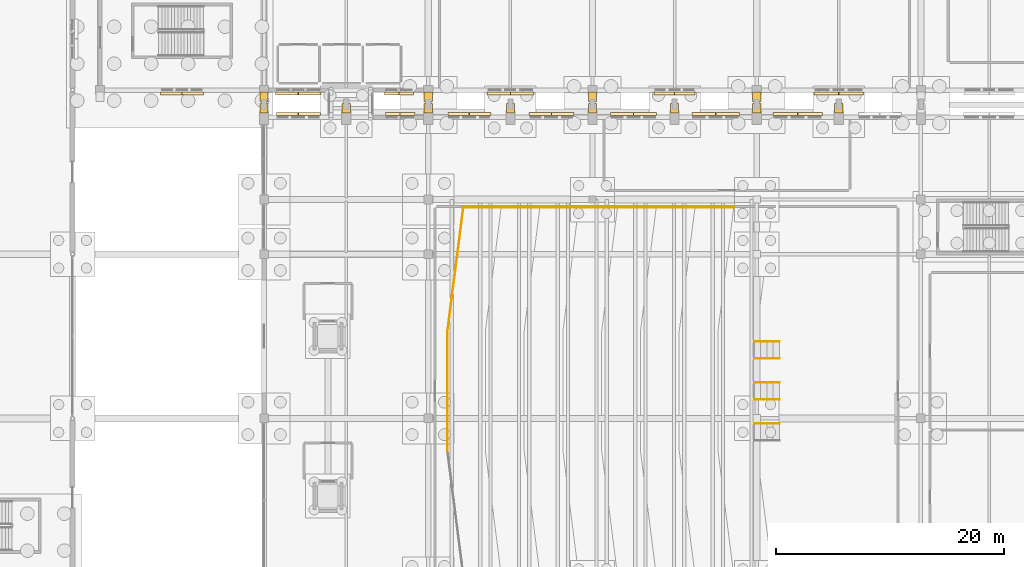
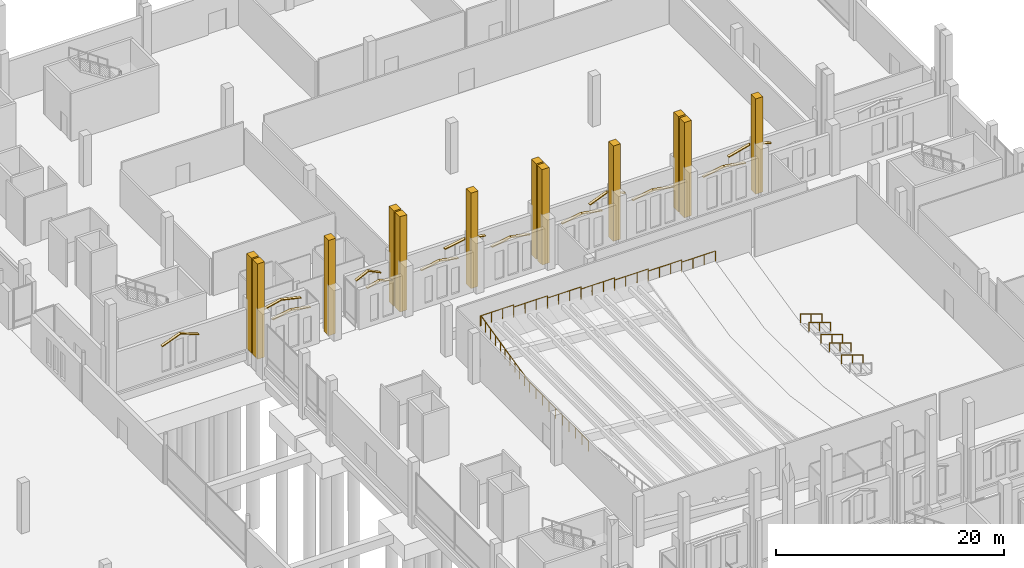
# One storey, part 183 of 192: 38 coverings, 14 railings.
"""IFC4 building model written with IfcOpenShell, lengths in metres."""

from ifc_helpers import new_model, si_unit, direction, frame, origin, origin_2d, place, context, subcontext, project, spatial, polyline, circle, outline, extrude, material, layer, layer_set, type_object, element, save


model = new_model("IFC4")

# Units and contexts
model_context = context("Model", 3, precision=1e-05, world=origin(), true_north=direction((0.0, 1.0)))
body_context = subcontext(model_context, "Body", "Model", "MODEL_VIEW")
ifc_project = project(units=[si_unit("LENGTHUNIT", "METRE"), si_unit("AREAUNIT", "SQUARE_METRE"), si_unit("VOLUMEUNIT", "CUBIC_METRE"), si_unit("PLANEANGLEUNIT", "RADIAN"), si_unit("MASSUNIT", "GRAM", prefix="KILO")], contexts=[model_context])

# Site, building, storey
site_placement = place(None, origin())
site = spatial("IfcSite", under=ifc_project, at=site_placement, CompositionType="ELEMENT")
building_placement = place(site_placement, origin())
building = spatial("IfcBuilding", under=site, at=building_placement, Name="Cendralis Lancet Convention Centre", CompositionType="ELEMENT")
storey_placement = place(building_placement, origin())
storey = spatial("IfcBuildingStorey", under=building, at=storey_placement, Name="L00", CompositionType="ELEMENT", Elevation=0.0)

# Coverings
ifc_material_1 = material(Name="Warm buff sandstone chevron cassette", Category="masonry")
ifc_layer = layer(ifc_material_1, 0.06005859375, Name="Warm buff sandstone chevron cassette")
ifc_layer_set = layer_set([ifc_layer], Name="Warm buff sandstone chevron cassette")
covering_type = type_object("IfcCoveringType", Name="ARC-CV-CLAD1", PredefinedType="CLADDING", material=ifc_layer_set)
covering_1_placement = place(storey_placement, frame((140.27392578125, 91.64990234375, 3.8701171875), z_axis=(-0.181789286353, 0.0, 0.98333750837), x_axis=(0.0, -1.0, 0.0)))
element("IfcCovering", 1, at=covering_1_placement, inside=storey, type_object=covering_type, Name="L00 Gothic Pointed Lancet Hood-Mould #0083L", PredefinedType="CLADDING", context=body_context, shape_type="SweptSolid", body=[
    extrude(outline(polyline([(0.0, 0.0), (0.284912109375, 0.0), (0.284912109375, 1.952702911544702), (0.0, 1.952702911544702), (0.0, 0.0)])), origin(), (0.0, 0.0, -1.0), 0.090087890625),
])
covering_2_placement = place(storey_placement, frame((142.214111328125, 91.64990234375, 4.22509765625), z_axis=(0.181811638913, 0.0, 0.983333375797), x_axis=(0.0, -1.0, 0.0)))
element("IfcCovering", 2, at=covering_2_placement, inside=storey, type_object=covering_type, Name="L00 Gothic Pointed Lancet Hood-Mould #0084R", PredefinedType="CLADDING", context=body_context, shape_type="SweptSolid", body=[
    extrude(outline(polyline([(0.0, 0.0), (0.284912109375, 0.0), (0.284912109375, 1.9524628394152566), (0.0, 1.9524628394152566), (0.0, 0.0)])), origin(), (0.0, 0.0, -1.0), 0.090087890625),
])
for number, where, z_axis, x_axis, name in (
    (3, (149.8359375, 91.64990234375, 3.8701171875), (-0.267236228306, 0.0, 0.963631048836), (0.0, -1.0, 0.0), "L00 Gothic Pointed Lancet Hood-Mould #0085L"),
    (4, (151.135986328125, 91.64990234375, 4.22509765625), (0.267236228306, 0.0, 0.963631048836), (0.0, -1.0, 0.0), "L00 Gothic Pointed Lancet Hood-Mould #0086R"),
):
    element("IfcCovering", number, at=place(storey_placement, frame(where, z_axis=z_axis, x_axis=x_axis)), inside=storey, type_object=covering_type, Name=name, PredefinedType="CLADDING", context=body_context, shape_type="SweptSolid", body=[
        extrude(outline(polyline([(0.0, 0.0), (0.284912109375, 0.0), (0.284912109375, 1.328339615479519), (0.0, 1.328339615479519), (0.0, 0.0)])), origin(), (0.0, 0.0, -1.0), 0.090087890625),
    ])
covering_3_placement = place(storey_placement, frame((155.31005859375, 91.64990234375, 3.8701171875), z_axis=(-0.185552010671, 0.0, 0.982634444407), x_axis=(0.0, -1.0, 0.0)))
element("IfcCovering", 5, at=covering_3_placement, inside=storey, type_object=covering_type, Name="L00 Gothic Pointed Lancet Hood-Mould #0087L", PredefinedType="CLADDING", context=body_context, shape_type="SweptSolid", body=[
    extrude(outline(polyline([(0.0, 0.0), (0.284912109375, 0.0), (0.284912109375, 1.913104942737559), (0.0, 1.913104942737559), (0.0, 0.0)])), origin(), (0.0, 0.0, -1.0), 0.090087890625),
])
covering_4_placement = place(storey_placement, frame((157.2099609375, 91.64990234375, 4.22509765625), z_axis=(0.185528745545, 0.0, 0.982638837303), x_axis=(0.0, -1.0, 0.0)))
element("IfcCovering", 6, at=covering_4_placement, inside=storey, type_object=covering_type, Name="L00 Gothic Pointed Lancet Hood-Mould #0088R", PredefinedType="CLADDING", context=body_context, shape_type="SweptSolid", body=[
    extrude(outline(polyline([(0.0, 0.0), (0.284912109375, 0.0), (0.284912109375, 1.9133448442612393), (0.0, 1.9133448442612393), (0.0, 0.0)])), origin(), (0.0, 0.0, -1.0), 0.090087890625),
])
covering_5_placement = place(storey_placement, frame((162.429931640625, 91.64990234375, 3.8701171875), z_axis=(-0.178216655425, 0.0, 0.983991272181), x_axis=(0.0, -1.0, 0.0)))
element("IfcCovering", 7, at=covering_5_placement, inside=storey, type_object=covering_type, Name="L00 Gothic Pointed Lancet Hood-Mould #0089L", PredefinedType="CLADDING", context=body_context, shape_type="SweptSolid", body=[
    extrude(outline(polyline([(0.0, 0.0), (0.284912109375, 0.0), (0.284912109375, 1.991847888198255), (0.0, 1.991847888198255), (0.0, 0.0)])), origin(), (0.0, 0.0, -1.0), 0.090087890625),
])
covering_6_placement = place(storey_placement, frame((164.409912109375, 91.64990234375, 4.22509765625), z_axis=(0.178195163669, 0.0, 0.983995164442), x_axis=(0.0, -1.0, 0.0)))
element("IfcCovering", 8, at=covering_6_placement, inside=storey, type_object=covering_type, Name="L00 Gothic Pointed Lancet Hood-Mould #0090R", PredefinedType="CLADDING", context=body_context, shape_type="SweptSolid", body=[
    extrude(outline(polyline([(0.0, 0.0), (0.284912109375, 0.0), (0.284912109375, 1.992088120917598), (0.0, 1.992088120917598), (0.0, 0.0)])), origin(), (0.0, 0.0, -1.0), 0.090087890625),
])
covering_7_placement = place(storey_placement, frame((169.570068359375, 91.64990234375, 3.8701171875), z_axis=(-0.173079059295, 0.0, 0.984907934395), x_axis=(0.0, -1.0, 0.0)))
element("IfcCovering", 9, at=covering_7_placement, inside=storey, type_object=covering_type, Name="L00 Gothic Pointed Lancet Hood-Mould #0091L", PredefinedType="CLADDING", context=body_context, shape_type="SweptSolid", body=[
    extrude(outline(polyline([(0.0, 0.0), (0.284912109375, 0.0), (0.284912109375, 2.050972949559657), (0.0, 2.050972949559657), (0.0, 0.0)])), origin(), (0.0, 0.0, -1.0), 0.090087890625),
])
covering_8_placement = place(storey_placement, frame((171.610107421875, 91.64990234375, 4.22509765625), z_axis=(0.173099353424, 0.0, 0.984904367867), x_axis=(0.0, -1.0, 0.0)))
element("IfcCovering", 10, at=covering_8_placement, inside=storey, type_object=covering_type, Name="L00 Gothic Pointed Lancet Hood-Mould #0092R", PredefinedType="CLADDING", context=body_context, shape_type="SweptSolid", body=[
    extrude(outline(polyline([(0.0, 0.0), (0.284912109375, 0.0), (0.284912109375, 2.050732493956328), (0.0, 2.050732493956328), (0.0, 0.0)])), origin(), (0.0, 0.0, -1.0), 0.090087890625),
])
covering_9_placement = place(storey_placement, frame((176.7099609375, 91.64990234375, 3.8701171875), z_axis=(-0.168225170965, 0.0, 0.98574859465), x_axis=(0.0, -1.0, 0.0)))
element("IfcCovering", 11, at=covering_9_placement, inside=storey, type_object=covering_type, Name="L00 Gothic Pointed Lancet Hood-Mould #0093L", PredefinedType="CLADDING", context=body_context, shape_type="SweptSolid", body=[
    extrude(outline(polyline([(0.0, 0.0), (0.284912109375, 0.0), (0.284912109375, 2.1101507385249723), (0.0, 2.1101507385249723), (0.0, 0.0)])), origin(), (0.0, 0.0, -1.0), 0.090087890625),
])
covering_10_placement = place(storey_placement, frame((178.81005859375, 91.64990234375, 4.22509765625), z_axis=(0.168244359089, 0.0, 0.985745319864), x_axis=(0.0, -1.0, 0.0)))
element("IfcCovering", 12, at=covering_10_placement, inside=storey, type_object=covering_type, Name="L00 Gothic Pointed Lancet Hood-Mould #0094R", PredefinedType="CLADDING", context=body_context, shape_type="SweptSolid", body=[
    extrude(outline(polyline([(0.0, 0.0), (0.284912109375, 0.0), (0.284912109375, 2.1099100776467123), (0.0, 2.1099100776467123), (0.0, 0.0)])), origin(), (0.0, 0.0, -1.0), 0.090087890625),
])
for number, where, z_axis, x_axis, name in (
    (13, (183.85009765625, 91.64990234375, 3.8701171875), (-0.163650621233, 0.0, 0.986518359773), (0.0, -1.0, 0.0), "L00 Gothic Pointed Lancet Hood-Mould #0095L"),
    (14, (186.010009765625, 91.64990234375, 4.22509765625), (0.163650621233, 0.0, 0.986518359773), (0.0, -1.0, 0.0), "L00 Gothic Pointed Lancet Hood-Mould #0096R"),
):
    element("IfcCovering", number, at=place(storey_placement, frame(where, z_axis=z_axis, x_axis=x_axis)), inside=storey, type_object=covering_type, Name=name, PredefinedType="CLADDING", context=body_context, shape_type="SweptSolid", body=[
        extrude(outline(polyline([(0.0, 0.0), (0.284912109375, 0.0), (0.284912109375, 2.1691360904997246), (0.0, 2.1691360904997246), (0.0, 0.0)])), origin(), (0.0, 0.0, -1.0), 0.090087890625),
    ])
covering_11_placement = place(storey_placement, origin())
element("IfcCovering", 15, at=covering_11_placement, inside=storey, type_object=covering_type, Name="Gothic Stepped Stone Buttress Base #0032", PredefinedType="CLADDING", context=body_context, shape_type="SweptSolid", body=[
    extrude(outline(polyline([(139.56005859375, 92.419921875), (138.840087890625, 92.419921875), (138.840087890625, 91.570068359375), (139.56005859375, 91.570068359375), (139.56005859375, 92.419921875)])), origin(), (0.0, 0.0, 1.0), 10.199951171875),
])
covering_12_placement = place(storey_placement, origin())
element("IfcCovering", 16, at=covering_12_placement, inside=storey, type_object=covering_type, Name="Gothic Stepped Stone Buttress Base #0034", PredefinedType="CLADDING", context=body_context, shape_type="SweptSolid", body=[
    extrude(outline(polyline([(146.760009765625, 92.419921875), (146.0400390625, 92.419921875), (146.0400390625, 91.570068359375), (146.760009765625, 91.570068359375), (146.760009765625, 92.419921875)])), origin(), (0.0, 0.0, 1.0), 10.199951171875),
])
covering_13_placement = place(storey_placement, origin())
element("IfcCovering", 17, at=covering_13_placement, inside=storey, type_object=covering_type, Name="Gothic Stepped Stone Buttress Base #0036", PredefinedType="CLADDING", context=body_context, shape_type="SweptSolid", body=[
    extrude(outline(polyline([(153.9599609375, 92.419921875), (153.239990234375, 92.419921875), (153.239990234375, 91.570068359375), (153.9599609375, 91.570068359375), (153.9599609375, 92.419921875)])), origin(), (0.0, 0.0, 1.0), 10.199951171875),
])
covering_14_placement = place(storey_placement, origin())
element("IfcCovering", 18, at=covering_14_placement, inside=storey, type_object=covering_type, Name="Gothic Stepped Stone Buttress Base #0038", PredefinedType="CLADDING", context=body_context, shape_type="SweptSolid", body=[
    extrude(outline(polyline([(161.159912109375, 92.419921875), (160.43994140625, 92.419921875), (160.43994140625, 91.570068359375), (161.159912109375, 91.570068359375), (161.159912109375, 92.419921875)])), origin(), (0.0, 0.0, 1.0), 10.199951171875),
])
covering_15_placement = place(storey_placement, origin())
element("IfcCovering", 19, at=covering_15_placement, inside=storey, type_object=covering_type, Name="Gothic Stepped Stone Buttress Base #0040", PredefinedType="CLADDING", context=body_context, shape_type="SweptSolid", body=[
    extrude(outline(polyline([(168.360107421875, 92.419921875), (167.639892578125, 92.419921875), (167.639892578125, 91.570068359375), (168.360107421875, 91.570068359375), (168.360107421875, 92.419921875)])), origin(), (0.0, 0.0, 1.0), 10.199951171875),
])
covering_16_placement = place(storey_placement, origin())
element("IfcCovering", 20, at=covering_16_placement, inside=storey, type_object=covering_type, Name="Gothic Stepped Stone Buttress Base #0042", PredefinedType="CLADDING", context=body_context, shape_type="SweptSolid", body=[
    extrude(outline(polyline([(175.56005859375, 92.419921875), (174.840087890625, 92.419921875), (174.840087890625, 91.570068359375), (175.56005859375, 91.570068359375), (175.56005859375, 92.419921875)])), origin(), (0.0, 0.0, 1.0), 10.199951171875),
])
covering_17_placement = place(storey_placement, origin())
element("IfcCovering", 21, at=covering_17_placement, inside=storey, type_object=covering_type, Name="Gothic Stepped Stone Buttress Base #0044", PredefinedType="CLADDING", context=body_context, shape_type="SweptSolid", body=[
    extrude(outline(polyline([(182.760009765625, 92.419921875), (182.0400390625, 92.419921875), (182.0400390625, 91.570068359375), (182.760009765625, 91.570068359375), (182.760009765625, 92.419921875)])), origin(), (0.0, 0.0, 1.0), 10.199951171875),
])
covering_18_placement = place(storey_placement, origin())
element("IfcCovering", 22, at=covering_18_placement, inside=storey, type_object=covering_type, Name="Gothic Stepped Stone Buttress Base #0046", PredefinedType="CLADDING", context=body_context, shape_type="SweptSolid", body=[
    extrude(outline(polyline([(189.9599609375, 92.419921875), (189.239990234375, 92.419921875), (189.239990234375, 91.570068359375), (189.9599609375, 91.570068359375), (189.9599609375, 92.419921875)])), origin(), (0.0, 0.0, 1.0), 10.199951171875),
])
for number, where, z_axis, x_axis, name in (
    (23, (133.8798828125, 93.159912109375, 3.469970703125), (0.359321980693, 0.0, 0.933213648738), (0.0, 1.0, 0.0), "L00 Gothic Pointed Lancet Hood-Mould #0167L"),
    (24, (131.989990234375, 93.159912109375, 4.18994140625), (-0.359321980693, 0.0, 0.933213648738), (0.0, 1.0, 0.0), "L00 Gothic Pointed Lancet Hood-Mould #0168R"),
):
    element("IfcCovering", number, at=place(storey_placement, frame(where, z_axis=z_axis, x_axis=x_axis)), inside=storey, type_object=covering_type, Name=name, PredefinedType="CLADDING", context=body_context, shape_type="SweptSolid", body=[
        extrude(outline(polyline([(0.0, 0.0), (0.28515625, 0.0), (0.28515625, 2.003692347838835), (0.0, 2.003692347838835), (0.0, 0.0)])), origin(), (0.0, 0.0, -1.0), 0.090087890625),
    ])
for number, where, z_axis, x_axis, name in (
    (25, (152.2958984375, 93.159912109375, 3.6201171875), (0.432833277658, 0.0, 0.901473989504), (0.0, 1.0, 0.0), "L00 Gothic Pointed Lancet Hood-Mould #0169L"),
    (26, (151.01611328125, 93.159912109375, 4.22509765625), (-0.432833277658, 0.0, 0.901473989504), (0.0, 1.0, 0.0), "L00 Gothic Pointed Lancet Hood-Mould #0170R"),
):
    element("IfcCovering", number, at=place(storey_placement, frame(where, z_axis=z_axis, x_axis=x_axis)), inside=storey, type_object=covering_type, Name=name, PredefinedType="CLADDING", context=body_context, shape_type="SweptSolid", body=[
        extrude(outline(polyline([(0.0, 0.0), (0.28515625, 0.0), (0.28515625, 1.3977217094398073), (0.0, 1.3977217094398073), (0.0, 0.0)])), origin(), (0.0, 0.0, -1.0), 0.090087890625),
    ])
for number, where, z_axis, x_axis, name in (
    (27, (144.2041015625, 93.159912109375, 3.77001953125), (0.222928716904, 0.0, 0.974834748652), (0.0, 1.0, 0.0), "L00 Gothic Pointed Lancet Hood-Mould #0171L"),
    (28, (142.194091796875, 93.159912109375, 4.22509765625), (-0.222928716904, 0.0, 0.974834748652), (0.0, 1.0, 0.0), "L00 Gothic Pointed Lancet Hood-Mould #0172R"),
):
    element("IfcCovering", number, at=place(storey_placement, frame(where, z_axis=z_axis, x_axis=x_axis)), inside=storey, type_object=covering_type, Name=name, PredefinedType="CLADDING", context=body_context, shape_type="SweptSolid", body=[
        extrude(outline(polyline([(0.0, 0.0), (0.28515625, 0.0), (0.28515625, 2.0413616124443466), (0.0, 2.0413616124443466), (0.0, 0.0)])), origin(), (0.0, 0.0, -1.0), 0.090087890625),
    ])
for number, where, z_axis, x_axis, name in (
    (29, (162.860107421875, 93.159912109375, 3.8701171875), (0.170618117572, 0.0, 0.985337230574), (0.0, 1.0, 0.0), "L00 Gothic Pointed Lancet Hood-Mould #0173L"),
    (30, (160.7900390625, 93.159912109375, 4.22509765625), (-0.170618117572, 0.0, 0.985337230574), (0.0, 1.0, 0.0), "L00 Gothic Pointed Lancet Hood-Mould #0174R"),
):
    element("IfcCovering", number, at=place(storey_placement, frame(where, z_axis=z_axis, x_axis=x_axis)), inside=storey, type_object=covering_type, Name=name, PredefinedType="CLADDING", context=body_context, shape_type="SweptSolid", body=[
        extrude(outline(polyline([(0.0, 0.0), (0.28515625, 0.0), (0.28515625, 2.0805555342000983), (0.0, 2.0805555342000983), (0.0, 0.0)])), origin(), (0.0, 0.0, -1.0), 0.090087890625),
    ])
for number, where, z_axis, x_axis, name in (
    (31, (177.0, 93.159912109375, 3.469970703125), (0.373157156168, 0.0, 0.927768148193), (0.0, 1.0, 0.0), "L00 Gothic Pointed Lancet Hood-Mould #0175L"),
    (32, (175.18994140625, 93.159912109375, 4.18994140625), (-0.373157156168, 0.0, 0.927768148193), (0.0, 1.0, 0.0), "L00 Gothic Pointed Lancet Hood-Mould #0176R"),
):
    element("IfcCovering", number, at=place(storey_placement, frame(where, z_axis=z_axis, x_axis=x_axis)), inside=storey, type_object=covering_type, Name=name, PredefinedType="CLADDING", context=body_context, shape_type="SweptSolid", body=[
        extrude(outline(polyline([(0.0, 0.0), (0.28515625, 0.0), (0.28515625, 1.929403446310332), (0.0, 1.929403446310332), (0.0, 0.0)])), origin(), (0.0, 0.0, -1.0), 0.090087890625),
    ])
covering_19_placement = place(storey_placement, frame((191.760009765625, 93.159912109375, 3.669921875), z_axis=(0.250030983354, 0.0, 0.968237836155), x_axis=(0.0, 1.0, 0.0)))
element("IfcCovering", 33, at=covering_19_placement, inside=storey, type_object=covering_type, Name="L00 Gothic Pointed Lancet Hood-Mould #0177L", PredefinedType="CLADDING", context=body_context, shape_type="SweptSolid", body=[
    extrude(outline(polyline([(0.0, 0.0), (0.28515625, 0.0), (0.28515625, 2.2204279397783417), (0.0, 2.2204279397783417), (0.0, 0.0)])), origin(), (0.0, 0.0, -1.0), 0.090087890625),
])
covering_20_placement = place(storey_placement, frame((189.590087890625, 93.159912109375, 4.22509765625), z_axis=(-0.250004367859, 0.0, 0.968244708765), x_axis=(0.0, 1.0, 0.0)))
element("IfcCovering", 34, at=covering_20_placement, inside=storey, type_object=covering_type, Name="L00 Gothic Pointed Lancet Hood-Mould #0178R", PredefinedType="CLADDING", context=body_context, shape_type="SweptSolid", body=[
    extrude(outline(polyline([(0.0, 0.0), (0.28515625, 0.0), (0.28515625, 2.2206643268077957), (0.0, 2.2206643268077957), (0.0, 0.0)])), origin(), (0.0, 0.0, -1.0), 0.090087890625),
])
covering_21_placement = place(storey_placement, origin())
element("IfcCovering", 35, at=covering_21_placement, inside=storey, type_object=covering_type, Name="Gothic Stepped Stone Buttress Base #0053", PredefinedType="CLADDING", context=body_context, shape_type="SweptSolid", body=[
    extrude(outline(polyline([(138.840087890625, 92.60009765625), (139.56005859375, 92.60009765625), (139.56005859375, 93.449951171875), (138.840087890625, 93.449951171875), (138.840087890625, 92.60009765625)])), origin(), (0.0, 0.0, 1.0), 10.199951171875),
])
covering_22_placement = place(storey_placement, origin())
element("IfcCovering", 36, at=covering_22_placement, inside=storey, type_object=covering_type, Name="Gothic Stepped Stone Buttress Base #0055", PredefinedType="CLADDING", context=body_context, shape_type="SweptSolid", body=[
    extrude(outline(polyline([(153.239990234375, 92.60009765625), (153.9599609375, 92.60009765625), (153.9599609375, 93.449951171875), (153.239990234375, 93.449951171875), (153.239990234375, 92.60009765625)])), origin(), (0.0, 0.0, 1.0), 10.199951171875),
])
covering_23_placement = place(storey_placement, origin())
element("IfcCovering", 37, at=covering_23_placement, inside=storey, type_object=covering_type, Name="Gothic Stepped Stone Buttress Base #0057", PredefinedType="CLADDING", context=body_context, shape_type="SweptSolid", body=[
    extrude(outline(polyline([(167.639892578125, 92.60009765625), (168.360107421875, 92.60009765625), (168.360107421875, 93.449951171875), (167.639892578125, 93.449951171875), (167.639892578125, 92.60009765625)])), origin(), (0.0, 0.0, 1.0), 10.199951171875),
])
covering_24_placement = place(storey_placement, origin())
element("IfcCovering", 38, at=covering_24_placement, inside=storey, type_object=covering_type, Name="Gothic Stepped Stone Buttress Base #0059", PredefinedType="CLADDING", context=body_context, shape_type="SweptSolid", body=[
    extrude(outline(polyline([(182.0400390625, 92.60009765625), (182.760009765625, 92.60009765625), (182.760009765625, 93.449951171875), (182.0400390625, 93.449951171875), (182.0400390625, 92.60009765625)])), origin(), (0.0, 0.0, 1.0), 10.199951171875),
])

# Railings
ifc_material_2 = material(Name="Steel S355", Category="steel")
railing_type_1 = type_object("IfcRailingType", Name="ARC-RL-IG01", PredefinedType="GUARDRAIL", material=ifc_material_2)
for number, where, name in (
    (39, (177.0, 83.320068359375, 0.97998046875), "Plenary Lower Stand Side Crowd Guardrail #034"),
    (40, (173.60009765625, 83.320068359375, 1.2099609375), "Plenary Lower Stand Side Crowd Guardrail #036"),
):
    element("IfcRailing", number, at=place(storey_placement, frame(where)), inside=storey, type_object=railing_type_1, Name=name, PredefinedType="GUARDRAIL", context=body_context, shape_type="SweptSolid", body=[
        extrude(circle(Radius=0.02392578125, at=origin_2d()), frame((0.0, 0.0, 1.076171875), z_axis=(1.0, 0.0, 0.0), x_axis=(0.0, 1.0, 0.0)), (0.0, 0.0, 1.0), 3.39990234375),
        extrude(circle(Radius=0.02099609375, at=origin_2d()), origin(), (0.0, 0.0, 1.0), 1.052001953125),
        extrude(circle(Radius=0.02099609375, at=origin_2d()), frame((1.13330078125, 0.0, 0.0)), (0.0, 0.0, 1.0), 1.052001953125),
        extrude(circle(Radius=0.02099609375, at=origin_2d()), frame((2.2666015625, 0.0, 0.0)), (0.0, 0.0, 1.0), 1.052001953125),
        extrude(circle(Radius=0.02099609375, at=origin_2d()), frame((3.39990234375, 0.0, 0.0)), (0.0, 0.0, 1.0), 1.052001953125),
    ])
railing_1_placement = place(storey_placement, frame((170.199951171875, 83.320068359375, 1.43994140625)))
element("IfcRailing", 41, at=railing_1_placement, inside=storey, type_object=railing_type_1, Name="Plenary Lower Stand Side Crowd Guardrail #038", PredefinedType="GUARDRAIL", context=body_context, shape_type="SweptSolid", body=[
    extrude(circle(Radius=0.02392578125, at=origin_2d()), frame((0.0, 0.0, 1.076171875), z_axis=(1.0, 0.0, 0.0), x_axis=(0.0, 1.0, 0.0)), (0.0, 0.0, 1.0), 3.400146484375),
    extrude(circle(Radius=0.02099609375, at=origin_2d()), origin(), (0.0, 0.0, 1.0), 1.052001953125),
    extrude(circle(Radius=0.02099609375, at=origin_2d()), frame((1.13330078125, 0.0, 0.0)), (0.0, 0.0, 1.0), 1.052001953125),
    extrude(circle(Radius=0.02099609375, at=origin_2d()), frame((2.266845703125, 0.0, 0.0)), (0.0, 0.0, 1.0), 1.052001953125),
    extrude(circle(Radius=0.02099609375, at=origin_2d()), frame((3.400146484375, 0.0, 0.0)), (0.0, 0.0, 1.0), 1.052001953125),
])
railing_2_placement = place(storey_placement, frame((166.800048828125, 83.320068359375, 1.669921875)))
element("IfcRailing", 42, at=railing_2_placement, inside=storey, type_object=railing_type_1, Name="Plenary Lower Stand Side Crowd Guardrail #040", PredefinedType="GUARDRAIL", context=body_context, shape_type="SweptSolid", body=[
    extrude(circle(Radius=0.02392578125, at=origin_2d()), frame((0.0, 0.0, 1.076171875), z_axis=(1.0, 0.0, 0.0), x_axis=(0.0, 1.0, 0.0)), (0.0, 0.0, 1.0), 3.39990234375),
    extrude(circle(Radius=0.02099609375, at=origin_2d()), origin(), (0.0, 0.0, 1.0), 1.052001953125),
    extrude(circle(Radius=0.02099609375, at=origin_2d()), frame((1.13330078125, 0.0, 0.0)), (0.0, 0.0, 1.0), 1.052001953125),
    extrude(circle(Radius=0.02099609375, at=origin_2d()), frame((2.2666015625, 0.0, 0.0)), (0.0, 0.0, 1.0), 1.052001953125),
    extrude(circle(Radius=0.02099609375, at=origin_2d()), frame((3.39990234375, 0.0, 0.0)), (0.0, 0.0, 1.0), 1.052001953125),
])
railing_3_placement = place(storey_placement, frame((163.39990234375, 83.320068359375, 1.89990234375)))
element("IfcRailing", 43, at=railing_3_placement, inside=storey, type_object=railing_type_1, Name="Plenary Lower Stand Side Crowd Guardrail #042", PredefinedType="GUARDRAIL", context=body_context, shape_type="SweptSolid", body=[
    extrude(circle(Radius=0.02392578125, at=origin_2d()), frame((0.0, 0.0, 1.076171875), z_axis=(1.0, 0.0, 0.0), x_axis=(0.0, 1.0, 0.0)), (0.0, 0.0, 1.0), 3.400146484375),
    extrude(circle(Radius=0.02099609375, at=origin_2d()), origin(), (0.0, 0.0, 1.0), 1.052001953125),
    extrude(circle(Radius=0.02099609375, at=origin_2d()), frame((1.13330078125, 0.0, 0.0)), (0.0, 0.0, 1.0), 1.052001953125),
    extrude(circle(Radius=0.02099609375, at=origin_2d()), frame((2.266845703125, 0.0, 0.0)), (0.0, 0.0, 1.0), 1.052001953125),
    extrude(circle(Radius=0.02099609375, at=origin_2d()), frame((3.400146484375, 0.0, 0.0)), (0.0, 0.0, 1.0), 1.052001953125),
])
for number, where, name in (
    (44, (160.0, 83.320068359375, 2.1298828125), "Plenary Lower Stand Side Crowd Guardrail #044"),
    (45, (156.60009765625, 83.320068359375, 2.360107421875), "Plenary Lower Stand Side Crowd Guardrail #046"),
):
    element("IfcRailing", number, at=place(storey_placement, frame(where)), inside=storey, type_object=railing_type_1, Name=name, PredefinedType="GUARDRAIL", context=body_context, shape_type="SweptSolid", body=[
        extrude(circle(Radius=0.02392578125, at=origin_2d()), frame((0.0, 0.0, 1.076171875), z_axis=(1.0, 0.0, 0.0), x_axis=(0.0, 1.0, 0.0)), (0.0, 0.0, 1.0), 3.39990234375),
        extrude(circle(Radius=0.02099609375, at=origin_2d()), origin(), (0.0, 0.0, 1.0), 1.052001953125),
        extrude(circle(Radius=0.02099609375, at=origin_2d()), frame((1.13330078125, 0.0, 0.0)), (0.0, 0.0, 1.0), 1.052001953125),
        extrude(circle(Radius=0.02099609375, at=origin_2d()), frame((2.2666015625, 0.0, 0.0)), (0.0, 0.0, 1.0), 1.052001953125),
        extrude(circle(Radius=0.02099609375, at=origin_2d()), frame((3.39990234375, 0.0, 0.0)), (0.0, 0.0, 1.0), 1.052001953125),
    ])
railing_4_placement = place(storey_placement, frame((155.280029296875, 62.0, 2.360107421875)))
element("IfcRailing", 46, at=railing_4_placement, inside=storey, type_object=railing_type_1, Name="Plenary Lower Stand Rear Crowd Guardrail #048", PredefinedType="GUARDRAIL", context=body_context, shape_type="SweptSolid", body=[
    extrude(circle(Radius=0.02392578125, at=origin_2d()), frame((0.0, 0.0, 1.076171875), z_axis=(0.0, 1.0, 0.0), x_axis=(-1.0, 0.0, 0.0)), (0.0, 0.0, 1.0), 10.39990234375),
    extrude(circle(Radius=0.02099609375, at=origin_2d()), origin(), (0.0, 0.0, 1.0), 1.052001953125),
    extrude(circle(Radius=0.02099609375, at=origin_2d()), frame((0.0, 1.155517578125, 0.0)), (0.0, 0.0, 1.0), 1.052001953125),
    extrude(circle(Radius=0.02099609375, at=origin_2d()), frame((0.0, 2.31103515625, 0.0)), (0.0, 0.0, 1.0), 1.052001953125),
    extrude(circle(Radius=0.02099609375, at=origin_2d()), frame((0.0, 3.466552734375, 0.0)), (0.0, 0.0, 1.0), 1.052001953125),
    extrude(circle(Radius=0.02099609375, at=origin_2d()), frame((0.0, 4.6220703125, 0.0)), (0.0, 0.0, 1.0), 1.052001953125),
    extrude(circle(Radius=0.02099609375, at=origin_2d()), frame((0.0, 5.77783203125, 0.0)), (0.0, 0.0, 1.0), 1.052001953125),
    extrude(circle(Radius=0.02099609375, at=origin_2d()), frame((0.0, 6.933349609375, 0.0)), (0.0, 0.0, 1.0), 1.052001953125),
    extrude(circle(Radius=0.02099609375, at=origin_2d()), frame((0.0, 8.0888671875, 0.0)), (0.0, 0.0, 1.0), 1.052001953125),
    extrude(circle(Radius=0.02099609375, at=origin_2d()), frame((0.0, 9.244384765625, 0.0)), (0.0, 0.0, 1.0), 1.052001953125),
    extrude(circle(Radius=0.02099609375, at=origin_2d()), frame((0.0, 10.39990234375, 0.0)), (0.0, 0.0, 1.0), 1.052001953125),
])
railing_5_placement = place(storey_placement, frame((155.280029296875, 72.39990234375, 2.360107421875)))
element("IfcRailing", 47, at=railing_5_placement, inside=storey, type_object=railing_type_1, Name="Plenary Lower Stand Rear Crowd Guardrail #049", PredefinedType="GUARDRAIL", context=body_context, shape_type="SweptSolid", body=[
    extrude(circle(Radius=0.02392578125, at=origin_2d()), frame((0.0, 0.0, 1.076171875), z_axis=(0.127153687282, 0.991883027282, 0.0), x_axis=(-0.991883027282, 0.127153687282, 0.0)), (0.0, 0.0, 1.0), 11.009521484375),
    extrude(circle(Radius=0.02099609375, at=origin_2d()), origin(), (0.0, 0.0, 1.0), 1.052001953125),
    extrude(circle(Radius=0.02099609375, at=origin_2d()), frame((0.139892578125, 1.092041015625, 0.0)), (0.0, 0.0, 1.0), 1.052001953125),
    extrude(circle(Radius=0.02099609375, at=origin_2d()), frame((0.280029296875, 2.18408203125, 0.0)), (0.0, 0.0, 1.0), 1.052001953125),
    extrude(circle(Radius=0.02099609375, at=origin_2d()), frame((0.419921875, 3.276123046875, 0.0)), (0.0, 0.0, 1.0), 1.052001953125),
    extrude(circle(Radius=0.02099609375, at=origin_2d()), frame((0.56005859375, 4.3681640625, 0.0)), (0.0, 0.0, 1.0), 1.052001953125),
    extrude(circle(Radius=0.02099609375, at=origin_2d()), frame((0.699951171875, 5.4599609375, 0.0)), (0.0, 0.0, 1.0), 1.052001953125),
    extrude(circle(Radius=0.02099609375, at=origin_2d()), frame((0.83984375, 6.552001953125, 0.0)), (0.0, 0.0, 1.0), 1.052001953125),
    extrude(circle(Radius=0.02099609375, at=origin_2d()), frame((0.97998046875, 7.64404296875, 0.0)), (0.0, 0.0, 1.0), 1.052001953125),
    extrude(circle(Radius=0.02099609375, at=origin_2d()), frame((1.119873046875, 8.736083984375, 0.0)), (0.0, 0.0, 1.0), 1.052001953125),
    extrude(circle(Radius=0.02099609375, at=origin_2d()), frame((1.260009765625, 9.828125, 0.0)), (0.0, 0.0, 1.0), 1.052001953125),
    extrude(circle(Radius=0.02099609375, at=origin_2d()), frame((1.39990234375, 10.920166015625, 0.0)), (0.0, 0.0, 1.0), 1.052001953125),
])
railing_type_2 = type_object("IfcRailingType", Name="ARC-RL-IH01", PredefinedType="HANDRAIL", material=ifc_material_2)
for number, where, name in (
    (48, (184.39990234375, 64.340087890625, 0.14990234375), "Plenary Stalls Vomitory Gangway Stair VS-01 Handrail L"),
    (49, (184.39990234375, 67.93994140625, 0.14990234375), "Plenary Stalls Vomitory Gangway Stair VS-02 Handrail L"),
    (50, (184.39990234375, 66.4599609375, 0.14990234375), "Plenary Stalls Vomitory Gangway Stair VS-02 Handrail R"),
    (51, (184.39990234375, 71.5400390625, 0.14990234375), "Plenary Stalls Vomitory Gangway Stair VS-03 Handrail L"),
    (52, (184.39990234375, 70.06005859375, 0.14990234375), "Plenary Stalls Vomitory Gangway Stair VS-03 Handrail R"),
):
    element("IfcRailing", number, at=place(storey_placement, frame(where)), inside=storey, type_object=railing_type_2, Name=name, PredefinedType="HANDRAIL", context=body_context, shape_type="SweptSolid", body=[
        extrude(circle(Radius=0.02392578125, at=origin_2d()), frame((0.0, 0.0, 0.89599609375), z_axis=(-0.946508000853, 0.0, 0.322680343871), x_axis=(0.0, -1.0, 0.0)), (0.0, 0.0, 1.0), 2.32421875),
        extrude(circle(Radius=0.02099609375, at=origin_2d()), origin(), (0.0, 0.0, 1.0), 0.871826171875),
        extrude(circle(Radius=0.02099609375, at=origin_2d()), frame((-1.10009765625, 0.0, 0.375)), (0.0, 0.0, 1.0), 0.871826171875),
        extrude(circle(Radius=0.02099609375, at=origin_2d()), frame((-2.199951171875, 0.0, 0.75)), (0.0, 0.0, 1.0), 0.871826171875),
    ])

save(model, "model.ifc")
